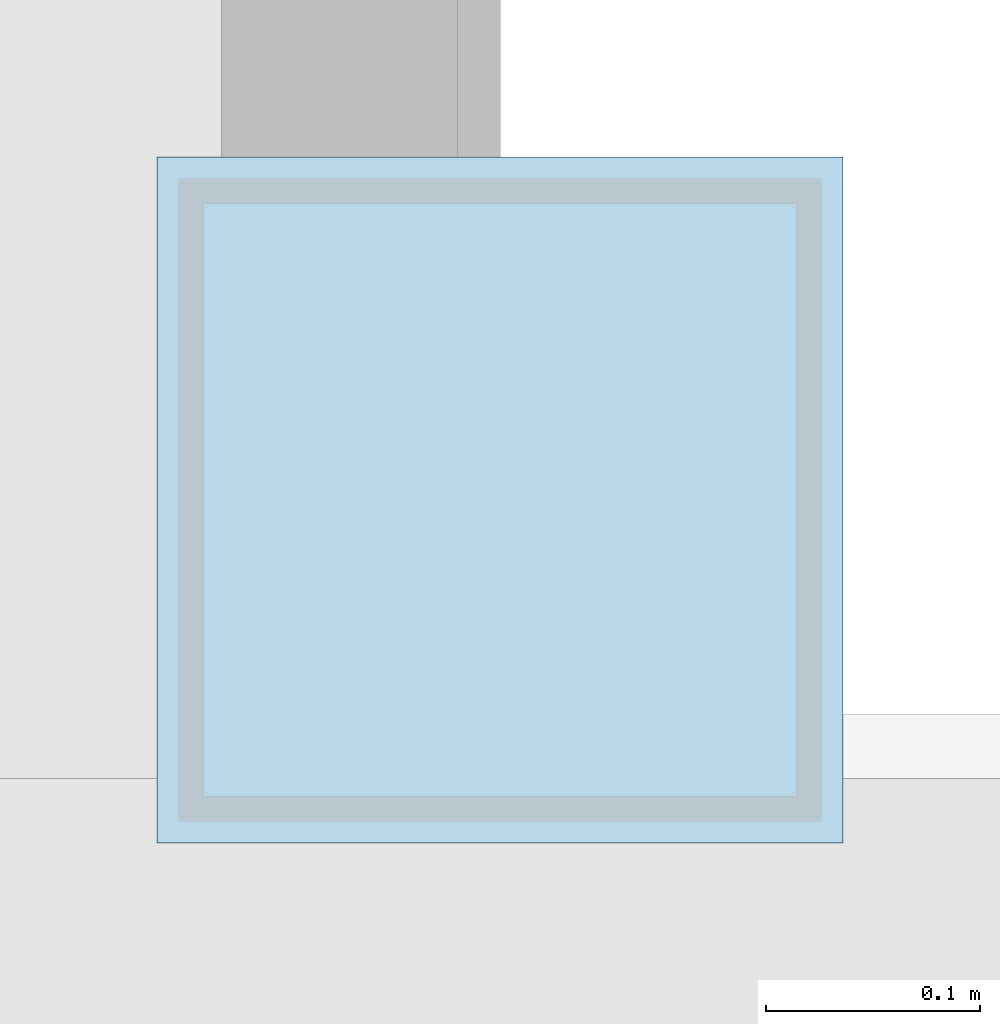
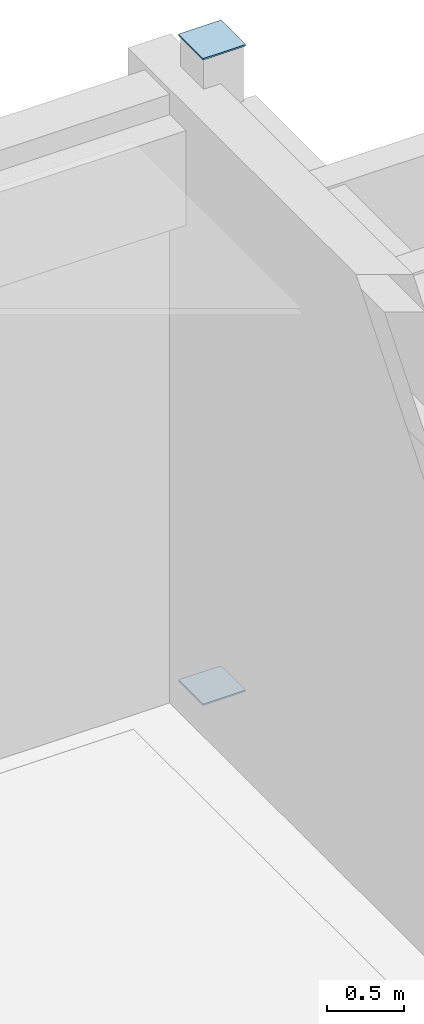
# One storey, part 25 of 34: 2 plates.
"""IFC4 building model written with IfcOpenShell, lengths in metres."""

import ifcopenshell
import ifcopenshell.guid

model = None  # the IFC model being written
_history = None  # IfcOwnerHistory: only IFC2X3 demands one
_inside = {}  # id of a spatial element -> (the spatial element, [elements in it])
_under = {}  # id of a project, library or spatial element -> (it, [spatial elements below it])
_declared = {}  # id of a project -> (the project, [libraries it declares])
_typed = {}  # id of a type object -> (the type object, [elements of that type])
_made_of = {}  # id of a material, layer set ... -> (it, [elements and type objects made of it])


def new_model(schema):
    """Start an empty IFC model of exactly this schema.

    Asked for "IFC4X3", IfcOpenShell would pick the latest addendum, in which some entities
    have other attributes; the version numbers below select the first issue.
    IFC2X3 requires an IfcOwnerHistory on every rooted entity: one is made here for all.
    """
    global model, _history
    if schema == "IFC4X3":
        model = ifcopenshell.file(schema_version=(4, 3, 0, 0))
    else:
        model = ifcopenshell.file(schema=schema)
    _inside.clear()
    _under.clear()
    _declared.clear()
    _typed.clear()
    _made_of.clear()
    _history = None
    if model.schema == "IFC2X3":
        org = make("IfcOrganization", Name="unknown")
        user = make(
            "IfcPersonAndOrganization",
            ThePerson=make("IfcPerson", FamilyName="unknown"),
            TheOrganization=org,
        )
        app = make(
            "IfcApplication",
            ApplicationDeveloper=org,
            Version="unknown",
            ApplicationFullName="unknown",
            ApplicationIdentifier="unknown",
        )
        _history = make(
            "IfcOwnerHistory",
            OwningUser=user,
            OwningApplication=app,
            ChangeAction="ADDED",
            CreationDate=0,
        )
    return model


def make(cls, **values):
    """One entity of the class cls with the attributes given. An attribute that is None is left unset."""
    return model.create_entity(
        cls, **{name: value for name, value in values.items() if value is not None}
    )


def rooted(cls, **values):
    """An entity with a GlobalId (a new one), such as an element, a storey or a relation."""
    return make(cls, GlobalId=ifcopenshell.guid.new(), OwnerHistory=_history, **values)


def si_unit(unit_type, name, prefix=None):
    """IfcSIUnit, for example si_unit("LENGTHUNIT", "METRE", prefix="MILLI")."""
    return make("IfcSIUnit", UnitType=unit_type, Prefix=prefix, Name=name)


def assignment(units):
    """IfcUnitAssignment: the units of a project."""
    return None if units is None else make("IfcUnitAssignment", Units=units)


def point(xyz):
    """IfcCartesianPoint."""
    return None if xyz is None else make("IfcCartesianPoint", Coordinates=xyz)


def direction(xyz):
    """IfcDirection."""
    return None if xyz is None else make("IfcDirection", DirectionRatios=xyz)


def frame(location, z_axis=None, x_axis=None):
    """IfcAxis2Placement3D, a coordinate frame: its origin and axes. An axis left out is left unset."""
    return make(
        "IfcAxis2Placement3D",
        Location=point(location),
        Axis=direction(z_axis),
        RefDirection=direction(x_axis),
    )


def frame_2d(location, x_axis=None):
    """IfcAxis2Placement2D, a coordinate frame in the plane: its origin and x axis."""
    return make(
        "IfcAxis2Placement2D", Location=point(location), RefDirection=direction(x_axis)
    )


def origin():
    """The frame at (0, 0, 0) with its axes left unset."""
    return frame((0.0, 0.0, 0.0))


def origin_2d():
    """The frame at (0, 0) in the plane with its x axis left unset."""
    return frame_2d((0.0, 0.0))


def place(relative_to, where):
    """IfcLocalPlacement: puts the frame where relative to a parent placement (None: the world)."""
    return make(
        "IfcLocalPlacement", PlacementRelTo=relative_to, RelativePlacement=where
    )


def context(
    kind, dimensions, precision=None, world=None, true_north=None, identifier=None
):
    """IfcGeometricRepresentationContext, for example the 3D "Model" context."""
    return make(
        "IfcGeometricRepresentationContext",
        ContextIdentifier=identifier,
        ContextType=kind,
        CoordinateSpaceDimension=dimensions,
        Precision=precision,
        WorldCoordinateSystem=world,
        TrueNorth=true_north,
    )


def subcontext(parent, identifier, kind, view, scale=None):
    """IfcGeometricRepresentationSubContext, for example "Body" below "Model"."""
    return make(
        "IfcGeometricRepresentationSubContext",
        ContextIdentifier=identifier,
        ContextType=kind,
        ParentContext=parent,
        TargetScale=scale,
        TargetView=view,
    )


def project(units=None, contexts=None):
    """IfcProject with its units and contexts."""
    return rooted(
        "IfcProject",
        Name="project",
        RepresentationContexts=contexts,
        UnitsInContext=assignment(units),
    )


def spatial(cls, under=None, at=None, **own):
    """A site, building, storey or space (cls), placed at a placement, below another one or the project."""
    s = rooted(cls, ObjectPlacement=at, **own)
    if under is not None:
        _under.setdefault(under.id(), (under, []))[1].append(s)
    return s


def profile(cls, at=None, kind="AREA", **sizes):
    """A parametric profile (cls). Its sizes go by their IFC names, for example OverallWidth=200.0."""
    return make(cls, ProfileType=kind, Position=at, **sizes)


def rectangle(**sizes):
    """IfcRectangleProfileDef."""
    return profile("IfcRectangleProfileDef", **sizes)


def extrude(swept, where, along, depth):
    """IfcExtrudedAreaSolid: the profile swept, set in the frame where, extruded along a direction by depth."""
    return make(
        "IfcExtrudedAreaSolid",
        SweptArea=swept,
        Position=where,
        ExtrudedDirection=direction(along),
        Depth=depth,
    )


def shape(context_of_items, identifier, shape_type, items):
    """IfcShapeRepresentation: the items that make up one representation, for example the "Body"."""
    return make(
        "IfcShapeRepresentation",
        ContextOfItems=context_of_items,
        RepresentationIdentifier=identifier,
        RepresentationType=shape_type,
        Items=items,
    )


def material(Name=None, Category=None):
    """IfcMaterial."""
    return make("IfcMaterial", Name=Name, Category=Category)


def layer(
    of_material, thickness, ventilated=None, Name=None, Category=None, Priority=None
):
    """IfcMaterialLayer: one layer of a wall or slab, of a material (None: an air gap)."""
    return make(
        "IfcMaterialLayer",
        Material=of_material,
        LayerThickness=thickness,
        IsVentilated=ventilated,
        Name=Name,
        Category=Category,
        Priority=Priority,
    )


def layer_set(layers, Name=None):
    """IfcMaterialLayerSet."""
    return make("IfcMaterialLayerSet", MaterialLayers=layers, LayerSetName=Name)


def made_of(thing, what):
    """Note that an element or type object is made of a material, layer set ...; save() writes the relation."""
    if what is not None:
        _made_of.setdefault(what.id(), (what, []))[1].append(thing)
    return thing


def type_object(cls, material=None, **own):
    """A type object (cls), such as IfcWallType, which elements share."""
    return made_of(rooted(cls, **own), material)


def element(
    cls,
    number,
    at=None,
    inside=None,
    cuts=None,
    type_object=None,
    material=None,
    context=None,
    identifier="Body",
    shape_type=None,
    held_by="IfcProductDefinitionShape",
    body=None,
    shapes=None,
    **own,
):
    """One element of the class cls, such as IfcWall. Its Tag is "e" and its number.

    at: its placement. inside: the storey or other place that contains it. cuts: it is an
    opening in that element (IfcRelVoidsElement). A single representation is given by context,
    identifier, shape_type and body (its items); several are given by shapes. held_by: the class
    of the entity that holds the representations. save() writes the other relations.
    """
    e = rooted(cls, Tag="e%d" % number, ObjectPlacement=at, **own)
    if body is not None:
        shapes = [shape(context, identifier, shape_type, body)]
    if shapes is not None:
        e.Representation = make(held_by, Representations=shapes)
    if inside is not None:
        _inside.setdefault(inside.id(), (inside, []))[1].append(e)
    if cuts is not None:
        rooted(
            "IfcRelVoidsElement", RelatingBuildingElement=cuts, RelatedOpeningElement=e
        )
    if type_object is not None:
        _typed.setdefault(type_object.id(), (type_object, []))[1].append(e)
    return made_of(e, material)


def aggregate(whole, parts):
    """IfcRelAggregates: a whole, such as a stair, and the parts it consists of."""
    return rooted("IfcRelAggregates", RelatingObject=whole, RelatedObjects=parts)


def save(model, path):
    """Write the relations noted so far, then the file.

    IfcRelAggregates (storeys below a building ...), IfcRelContainedInSpatialStructure (elements
    in a storey), IfcRelDefinesByType, IfcRelAssociatesMaterial and IfcRelDeclares: one each for
    every whole, place, type object, material and project.
    """
    for whole, parts in _under.values():
        aggregate(whole, parts)
    for where, things in _inside.values():
        rooted(
            "IfcRelContainedInSpatialStructure",
            RelatedElements=things,
            RelatingStructure=where,
        )
    for kind, things in _typed.values():
        rooted("IfcRelDefinesByType", RelatedObjects=things, RelatingType=kind)
    for what, things in _made_of.values():
        rooted("IfcRelAssociatesMaterial", RelatedObjects=things, RelatingMaterial=what)
    for by, libraries in _declared.values():
        rooted("IfcRelDeclares", RelatingContext=by, RelatedDefinitions=libraries)
    model.write(path)


model = new_model("IFC4")

# Units and contexts
model_context = context("Model", 3, precision=1e-05, world=origin(), true_north=direction((0.0, 1.0)))
body_context = subcontext(model_context, "Body", "Model", "MODEL_VIEW")
ifc_project = project(units=[si_unit("LENGTHUNIT", "METRE"), si_unit("AREAUNIT", "SQUARE_METRE"), si_unit("VOLUMEUNIT", "CUBIC_METRE"), si_unit("PLANEANGLEUNIT", "RADIAN"), si_unit("MASSUNIT", "GRAM", prefix="KILO")], contexts=[model_context])

# Site, building, storey
site_placement = place(None, origin())
site = spatial("IfcSite", under=ifc_project, at=site_placement, CompositionType="ELEMENT")
building_placement = place(site_placement, origin())
building = spatial("IfcBuilding", under=site, at=building_placement, Name="Quendrovan Civic Courthouse", CompositionType="ELEMENT")
storey_placement = place(building_placement, frame((0.0, 0.0, 25.5)))
storey = spatial("IfcBuildingStorey", under=building, at=storey_placement, Name="L06", CompositionType="ELEMENT", Elevation=25.5)

# Plates
ifc_material = material(Name="Steel ASTM A572 Grade 50", Category="steel")
ifc_layer = layer(ifc_material, 0.011962890625, Name="Steel ASTM A572 Grade 50")
ifc_layer_set = layer_set([ifc_layer], Name="Steel ASTM A572 Grade 50")
plate_type = type_object("IfcPlateType", Name="PLT-CAP-12", PredefinedType="SHEET", material=ifc_layer_set)
for number, where, z_axis, x_axis, name in (
    (1, (92.39990234375, 109.89990234375, 5.10009765625), (0.0, 0.0, 1.0), (1.0, 0.0, 0.0), "L06 Hollow Column End Cap Plate COL-L06-12-Q-TOP"),
    (2, (92.39990234375, 109.89990234375, -0.01220703125), (0.0, 0.0, 1.0), (1.0, 0.0, 0.0), "L06 Hollow Column End Cap Plate COL-L06-12-Q-BOT"),
):
    element("IfcPlate", number, at=place(storey_placement, frame(where, z_axis=z_axis, x_axis=x_axis)), inside=storey, type_object=plate_type, Name=name, PredefinedType="SHEET", context=body_context, shape_type="SweptSolid", body=[
        extrude(rectangle(XDim=0.320068359375, YDim=0.320068359375, at=origin_2d()), origin(), (0.0, 0.0, 1.0), 0.011962890625),
    ])

save(model, "model.ifc")
